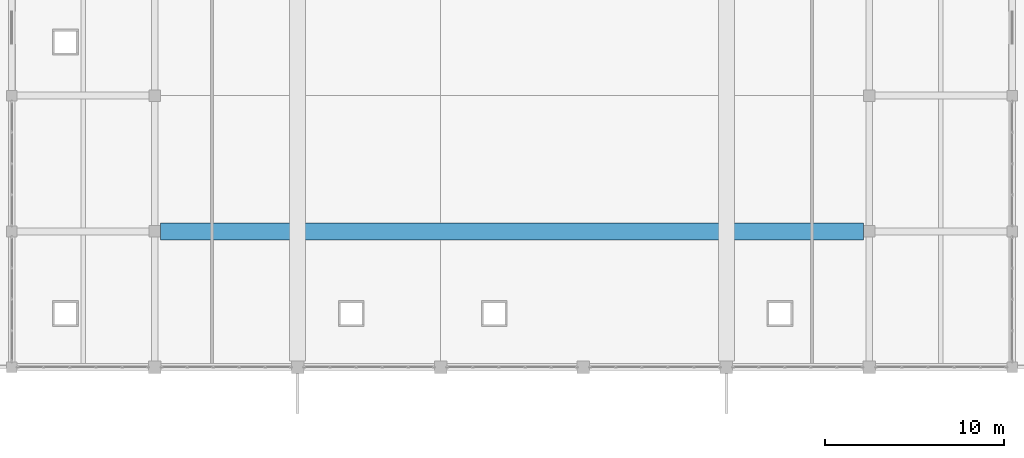
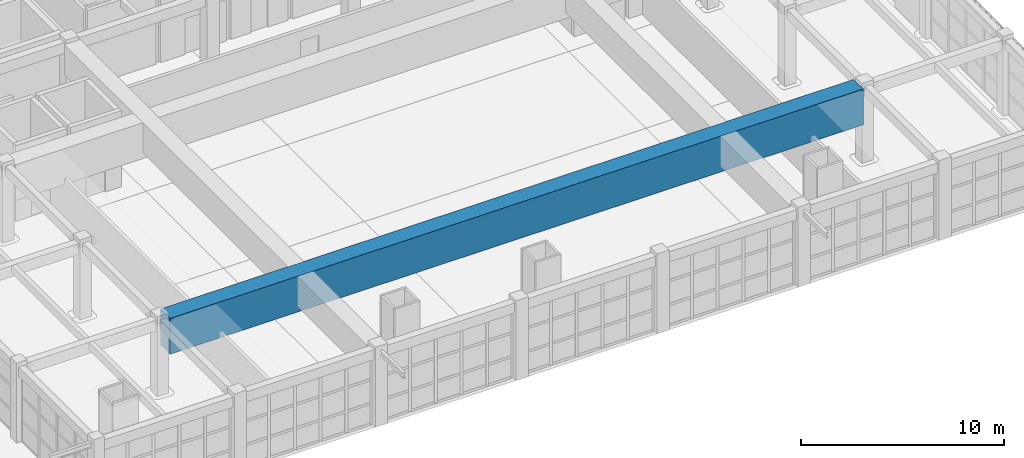
# One storey, part 9 of 50: 1 beam.
"""IFC4 building model written with IfcOpenShell, lengths in metres."""

from ifc_helpers import new_model, si_unit, direction, frame, origin, origin_2d, place, context, subcontext, project, spatial, rectangle, extrude, material, material_profile, profile_set, type_object, element, save


model = new_model("IFC4")

# Units and contexts
model_context = context("Model", 3, precision=1e-05, world=origin(), true_north=direction((0.0, 1.0)))
body_context = subcontext(model_context, "Body", "Model", "MODEL_VIEW")
ifc_project = project(units=[si_unit("LENGTHUNIT", "METRE"), si_unit("AREAUNIT", "SQUARE_METRE"), si_unit("VOLUMEUNIT", "CUBIC_METRE"), si_unit("PLANEANGLEUNIT", "RADIAN"), si_unit("MASSUNIT", "GRAM", prefix="KILO")], contexts=[model_context])

# Site, building, storey
site_placement = place(None, origin())
site = spatial("IfcSite", under=ifc_project, at=site_placement, CompositionType="ELEMENT")
building_placement = place(site_placement, origin())
building = spatial("IfcBuilding", under=site, at=building_placement, Name="Zantavel Square City Hall", CompositionType="ELEMENT")
storey_placement = place(building_placement, frame((0.0, 0.0, 18.89990234375)))
storey = spatial("IfcBuildingStorey", under=building, at=storey_placement, Name="L05", CompositionType="ELEMENT", Elevation=18.89990234375)

# Beam
ifc_material = material(Name="Concrete C40/50", Category="concrete")
ifc_material_profile = material_profile(ifc_material, rectangle(XDim=0.949951171875, YDim=2.14990234375, at=origin_2d()), Name="RC 950x2150")
ifc_profile_set = profile_set([ifc_material_profile], Name="Concrete C40/50")
beam_type = type_object("IfcBeamType", Name="Gallery Ring Transfer Girder RC 950x2150 C40/50", PredefinedType="BEAM", material=ifc_profile_set)
beam_placement = place(storey_placement, frame((64.324951171875, 38.0, 3.4951171875), z_axis=(1.0, 0.0, 0.0), x_axis=(0.0, 1.0, 0.0)))
element("IfcBeam", 1, at=beam_placement, inside=storey, type_object=beam_type, Name="L06 Public Gallery Ring Girder GAL-EW-S", PredefinedType="BEAM", context=body_context, shape_type="SweptSolid", body=[
    extrude(rectangle(XDim=0.949951171875, YDim=2.14990234375, at=origin_2d()), origin(), (0.0, 0.0, 1.0), 39.35009765625),
])

save(model, "model.ifc")
